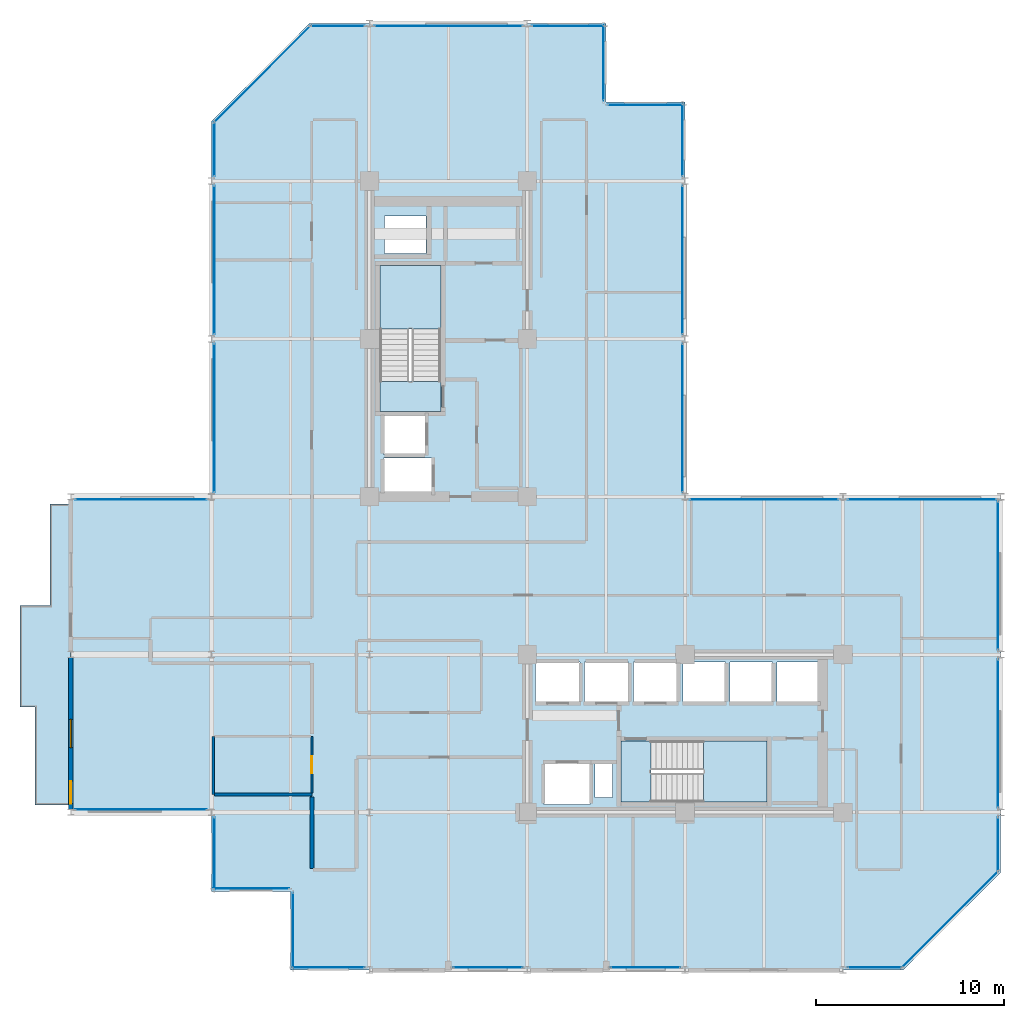
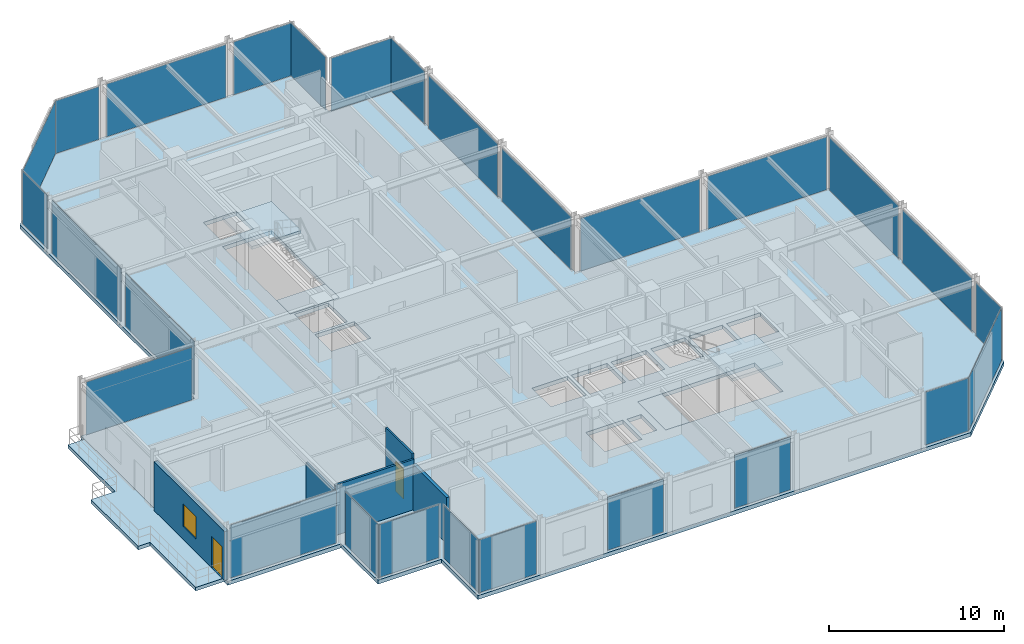
# One storey, part 23 of 29: 27 plates, 6 slabs, 5 walls, 2 doors, 1 window, 3 openings, 29 elements without a shape of their own.
"""IFC4 building model written with IfcOpenShell, lengths in metres."""

from ifc_helpers import new_model, si_unit, direction, frame, frame_2d, origin, origin_2d, place, context, subcontext, project, spatial, polyline, rectangle, outline, extrude, material, layer, layer_set, type_object, element, fill, aggregate, save


model = new_model("IFC4")

# Units and contexts
model_context = context("Model", 3, precision=1e-05, world=origin(), true_north=direction((0.0, 1.0)))
body_context = subcontext(model_context, "Body", "Model", "MODEL_VIEW")
ifc_project = project(units=[si_unit("LENGTHUNIT", "METRE"), si_unit("AREAUNIT", "SQUARE_METRE"), si_unit("VOLUMEUNIT", "CUBIC_METRE"), si_unit("PLANEANGLEUNIT", "RADIAN"), si_unit("MASSUNIT", "GRAM", prefix="KILO")], contexts=[model_context])

# Site, building, storey
site_placement = place(None, origin())
site = spatial("IfcSite", under=ifc_project, at=site_placement, CompositionType="ELEMENT")
building_placement = place(site_placement, origin())
building = spatial("IfcBuilding", under=site, at=building_placement, Name="Nerrivon Quay Data Exchange", CompositionType="ELEMENT")
storey_placement = place(building_placement, frame((0.0, 0.0, 196.0)))
storey = spatial("IfcBuildingStorey", under=building, at=storey_placement, Name="L46", CompositionType="ELEMENT", Elevation=196.0)

# Curtain wall, plate
ifc_material_1 = material(Name="Anodised aluminium 6063-T6", Category="aluminium")
ifc_layer_1 = layer(ifc_material_1, 0.199951171875)
ifc_layer_set_1 = layer_set([ifc_layer_1], Name="Anodised aluminium 6063-T6")
curtain_wall_type_1 = type_object("IfcCurtainWallType", Name="CW-SYS-04", PredefinedType="NOTDEFINED", material=ifc_layer_set_1)
curtain_wall_1_placement = place(storey_placement, origin())
curtain_wall_1 = element("IfcCurtainWall", 1, at=curtain_wall_1_placement, inside=storey, type_object=curtain_wall_type_1, Name="L46 Unitised Curtain Wall 3", PredefinedType="NOTDEFINED")
ifc_material_2 = material(Name="Double-glazed low-E solar control glass", Category="glass")
ifc_layer_2 = layer(ifc_material_2, 0.028076171875)
ifc_layer_set_2 = layer_set([ifc_layer_2], Name="Double-glazed low-E solar control glass")
plate_type = type_object("IfcPlateType", Name="CWP-GLZ-28", PredefinedType="CURTAIN_PANEL", material=ifc_layer_set_2)
plate_1_placement = place(storey_placement, frame((-3.759765625, 25.06005859375, 0.06494140625), z_axis=(0.0, 0.0, 1.0), x_axis=(1.0, 0.0, 0.0)))
plate_1 = element("IfcPlate", 2, at=plate_1_placement, type_object=plate_type, Name="CW04 panel 1.1", PredefinedType="CURTAIN_PANEL", context=body_context, shape_type="SweptSolid", body=[
    extrude(rectangle(XDim=7.01953125, YDim=0.028076171875, at=origin_2d()), origin(), (0.0, 0.0, 1.0), 3.695068359375),
])
aggregate(curtain_wall_1, [plate_1])

ifc_layer_3 = layer(ifc_material_1, 0.195068359375)
ifc_layer_set_3 = layer_set([ifc_layer_3], Name="Anodised aluminium 6063-T6")
curtain_wall_type_2 = type_object("IfcCurtainWallType", Name="CW-SYS-06", PredefinedType="NOTDEFINED", material=ifc_layer_set_3)
curtain_wall_2_placement = place(storey_placement, origin())
curtain_wall_2 = element("IfcCurtainWall", 3, at=curtain_wall_2_placement, inside=storey, type_object=curtain_wall_type_2, Name="L46 Unitised Curtain Wall 4", PredefinedType="NOTDEFINED")
plate_2_placement = place(storey_placement, frame((0.139892578125, 29.39990234375, 0.06494140625), z_axis=(0.0, 0.0, 1.0), x_axis=(0.0, 1.0, 0.0)))
plate_2 = element("IfcPlate", 4, at=plate_2_placement, type_object=plate_type, Name="CW06 panel 1.1", PredefinedType="CURTAIN_PANEL", context=body_context, shape_type="SweptSolid", body=[
    extrude(rectangle(XDim=7.89990234375, YDim=0.028076171875, at=origin_2d()), origin(), (0.0, 0.0, 1.0), 3.695068359375),
])
aggregate(curtain_wall_2, [plate_2])

curtain_wall_3_placement = place(storey_placement, origin())
curtain_wall_3 = element("IfcCurtainWall", 5, at=curtain_wall_3_placement, inside=storey, type_object=curtain_wall_type_2, Name="L46 Unitised Curtain Wall 5", PredefinedType="NOTDEFINED")
plate_3_placement = place(storey_placement, frame((0.139892578125, 37.800048828125, 0.06494140625), z_axis=(0.0, 0.0, 1.0), x_axis=(0.0, 1.0, 0.0)))
plate_3 = element("IfcPlate", 6, at=plate_3_placement, type_object=plate_type, Name="CW06 panel 1.1", PredefinedType="CURTAIN_PANEL", context=body_context, shape_type="SweptSolid", body=[
    extrude(rectangle(XDim=7.89990234375, YDim=0.028076171875, at=origin_2d()), origin(), (0.0, 0.0, 1.0), 3.695068359375),
])
aggregate(curtain_wall_3, [plate_3])

curtain_wall_4_placement = place(storey_placement, origin())
curtain_wall_4 = element("IfcCurtainWall", 7, at=curtain_wall_4_placement, inside=storey, type_object=curtain_wall_type_2, Name="L46 Unitised Curtain Wall 6", PredefinedType="NOTDEFINED")
plate_4_placement = place(storey_placement, frame((0.139892578125, 43.6875, 0.06494140625), z_axis=(0.0, 0.0, 1.0), x_axis=(0.0, 1.0, 0.0)))
plate_4 = element("IfcPlate", 8, at=plate_4_placement, type_object=plate_type, Name="CW06 panel 1.1", PredefinedType="CURTAIN_PANEL", context=body_context, shape_type="SweptSolid", body=[
    extrude(rectangle(XDim=2.875, YDim=0.028076171875, at=origin_2d()), origin(), (0.0, 0.0, 1.0), 3.695068359375),
])
aggregate(curtain_wall_4, [plate_4])

curtain_wall_5_placement = place(storey_placement, origin())
curtain_wall_5 = element("IfcCurtainWall", 9, at=curtain_wall_5_placement, inside=storey, type_object=curtain_wall_type_2, Name="L46 Unitised Curtain Wall 7", PredefinedType="NOTDEFINED")
plate_5_placement = place(storey_placement, frame((2.698974609375, 47.700927734375, 0.06494140625), z_axis=(0.0, 0.0, 1.0), x_axis=(0.707106781187, 0.707106781187, 0.0)))
plate_5 = element("IfcPlate", 10, at=plate_5_placement, type_object=plate_type, Name="CW06 panel 1.1", PredefinedType="CURTAIN_PANEL", context=body_context, shape_type="SweptSolid", body=[
    extrude(rectangle(XDim=7.203857421875, YDim=0.028076171875, at=origin_2d()), origin(), (0.0, 0.0, 1.0), 3.695068359375),
])
aggregate(curtain_wall_5, [plate_5])

curtain_wall_6_placement = place(storey_placement, origin())
curtain_wall_6 = element("IfcCurtainWall", 11, at=curtain_wall_6_placement, inside=storey, type_object=curtain_wall_type_2, Name="L46 Unitised Curtain Wall 8", PredefinedType="NOTDEFINED")
plate_6_placement = place(storey_placement, frame((6.71240234375, 50.260009765625, 0.06494140625), z_axis=(0.0, 0.0, 1.0), x_axis=(1.0, 0.0, 0.0)))
plate_6 = element("IfcPlate", 12, at=plate_6_placement, type_object=plate_type, Name="CW06 panel 1.1", PredefinedType="CURTAIN_PANEL", context=body_context, shape_type="SweptSolid", body=[
    extrude(rectangle(XDim=2.875, YDim=0.028076171875, at=origin_2d()), origin(), (0.0, 0.0, 1.0), 3.695068359375),
])
aggregate(curtain_wall_6, [plate_6])

curtain_wall_7_placement = place(storey_placement, origin())
curtain_wall_7 = element("IfcCurtainWall", 13, at=curtain_wall_7_placement, inside=storey, type_object=curtain_wall_type_2, Name="L46 Unitised Curtain Wall 9", PredefinedType="NOTDEFINED")
plate_7_placement = place(storey_placement, frame((12.60009765625, 50.260009765625, 0.06494140625), z_axis=(0.0, 0.0, 1.0), x_axis=(1.0, 0.0, 0.0)))
plate_7 = element("IfcPlate", 14, at=plate_7_placement, type_object=plate_type, Name="CW06 panel 1.1", PredefinedType="CURTAIN_PANEL", context=body_context, shape_type="SweptSolid", body=[
    extrude(rectangle(XDim=7.89990234375, YDim=0.028076171875, at=origin_2d()), origin(), (0.0, 0.0, 1.0), 3.695068359375),
])
aggregate(curtain_wall_7, [plate_7])

curtain_wall_8_placement = place(storey_placement, origin())
curtain_wall_8 = element("IfcCurtainWall", 15, at=curtain_wall_8_placement, inside=storey, type_object=curtain_wall_type_2, Name="L46 Unitised Curtain Wall 10", PredefinedType="NOTDEFINED")
plate_8_placement = place(storey_placement, frame((18.987548828125, 50.260009765625, 0.06494140625), z_axis=(0.0, 0.0, 1.0), x_axis=(1.0, 0.0, 0.0)))
plate_8 = element("IfcPlate", 16, at=plate_8_placement, type_object=plate_type, Name="CW06 panel 1.1", PredefinedType="CURTAIN_PANEL", context=body_context, shape_type="SweptSolid", body=[
    extrude(rectangle(XDim=3.875, YDim=0.028076171875, at=origin_2d()), origin(), (0.0, 0.0, 1.0), 3.695068359375),
])
aggregate(curtain_wall_8, [plate_8])

curtain_wall_9_placement = place(storey_placement, origin())
curtain_wall_9 = element("IfcCurtainWall", 17, at=curtain_wall_9_placement, inside=storey, type_object=curtain_wall_type_2, Name="L46 Unitised Curtain Wall 11", PredefinedType="NOTDEFINED")
plate_9_placement = place(storey_placement, frame((20.860107421875, 48.300048828125, 0.06494140625), z_axis=(0.0, 0.0, 1.0), x_axis=(0.0, -1.0, 0.0)))
plate_9 = element("IfcPlate", 18, at=plate_9_placement, type_object=plate_type, Name="CW06 panel 1.1", PredefinedType="CURTAIN_PANEL", context=body_context, shape_type="SweptSolid", body=[
    extrude(rectangle(XDim=4.050048828125, YDim=0.028076171875, at=origin_2d()), origin(), (0.0, 0.0, 1.0), 3.695068359375),
])
aggregate(curtain_wall_9, [plate_9])

curtain_wall_10_placement = place(storey_placement, origin())
curtain_wall_10 = element("IfcCurtainWall", 19, at=curtain_wall_10_placement, inside=storey, type_object=curtain_wall_type_2, Name="L46 Unitised Curtain Wall 12", PredefinedType="NOTDEFINED")
plate_10_placement = place(storey_placement, frame((23.10009765625, 46.06005859375, 0.06494140625), z_axis=(0.0, 0.0, 1.0), x_axis=(1.0, 0.0, 0.0)))
plate_10 = element("IfcPlate", 20, at=plate_10_placement, type_object=plate_type, Name="CW06 panel 1.1", PredefinedType="CURTAIN_PANEL", context=body_context, shape_type="SweptSolid", body=[
    extrude(rectangle(XDim=4.050048828125, YDim=0.028076171875, at=origin_2d()), origin(), (0.0, 0.0, 1.0), 3.695068359375),
])
aggregate(curtain_wall_10, [plate_10])

curtain_wall_11_placement = place(storey_placement, origin())
curtain_wall_11 = element("IfcCurtainWall", 21, at=curtain_wall_11_placement, inside=storey, type_object=curtain_wall_type_2, Name="L46 Unitised Curtain Wall 13", PredefinedType="NOTDEFINED")
plate_11_placement = place(storey_placement, frame((25.06005859375, 44.1875, 0.06494140625), z_axis=(0.0, 0.0, 1.0), x_axis=(0.0, -1.0, 0.0)))
plate_11 = element("IfcPlate", 22, at=plate_11_placement, type_object=plate_type, Name="CW06 panel 1.1", PredefinedType="CURTAIN_PANEL", context=body_context, shape_type="SweptSolid", body=[
    extrude(rectangle(XDim=3.875, YDim=0.028076171875, at=origin_2d()), origin(), (0.0, 0.0, 1.0), 3.695068359375),
])
aggregate(curtain_wall_11, [plate_11])

curtain_wall_12_placement = place(storey_placement, origin())
curtain_wall_12 = element("IfcCurtainWall", 23, at=curtain_wall_12_placement, inside=storey, type_object=curtain_wall_type_2, Name="L46 Unitised Curtain Wall 14", PredefinedType="NOTDEFINED")
plate_12_placement = place(storey_placement, frame((25.06005859375, 37.800048828125, 0.06494140625), z_axis=(0.0, 0.0, 1.0), x_axis=(0.0, -1.0, 0.0)))
plate_12 = element("IfcPlate", 24, at=plate_12_placement, type_object=plate_type, Name="CW06 panel 1.1", PredefinedType="CURTAIN_PANEL", context=body_context, shape_type="SweptSolid", body=[
    extrude(rectangle(XDim=7.89990234375, YDim=0.028076171875, at=origin_2d()), origin(), (0.0, 0.0, 1.0), 3.695068359375),
])
aggregate(curtain_wall_12, [plate_12])

curtain_wall_13_placement = place(storey_placement, origin())
curtain_wall_13 = element("IfcCurtainWall", 25, at=curtain_wall_13_placement, inside=storey, type_object=curtain_wall_type_2, Name="L46 Unitised Curtain Wall 15", PredefinedType="NOTDEFINED")
plate_13_placement = place(storey_placement, frame((25.06005859375, 29.39990234375, 0.06494140625), z_axis=(0.0, 0.0, 1.0), x_axis=(0.0, -1.0, 0.0)))
plate_13 = element("IfcPlate", 26, at=plate_13_placement, type_object=plate_type, Name="CW06 panel 1.1", PredefinedType="CURTAIN_PANEL", context=body_context, shape_type="SweptSolid", body=[
    extrude(rectangle(XDim=7.89990234375, YDim=0.028076171875, at=origin_2d()), origin(), (0.0, 0.0, 1.0), 3.695068359375),
])
aggregate(curtain_wall_13, [plate_13])

curtain_wall_14_placement = place(storey_placement, origin())
curtain_wall_14 = element("IfcCurtainWall", 27, at=curtain_wall_14_placement, inside=storey, type_object=curtain_wall_type_2, Name="L46 Unitised Curtain Wall 16", PredefinedType="NOTDEFINED")
plate_14_placement = place(storey_placement, frame((29.39990234375, 25.06005859375, 0.06494140625), z_axis=(0.0, 0.0, 1.0), x_axis=(1.0, 0.0, 0.0)))
plate_14 = element("IfcPlate", 28, at=plate_14_placement, type_object=plate_type, Name="CW06 panel 1.1", PredefinedType="CURTAIN_PANEL", context=body_context, shape_type="SweptSolid", body=[
    extrude(rectangle(XDim=7.89990234375, YDim=0.028076171875, at=origin_2d()), origin(), (0.0, 0.0, 1.0), 3.695068359375),
])
aggregate(curtain_wall_14, [plate_14])

curtain_wall_15_placement = place(storey_placement, origin())
curtain_wall_15 = element("IfcCurtainWall", 29, at=curtain_wall_15_placement, inside=storey, type_object=curtain_wall_type_2, Name="L46 Unitised Curtain Wall 17", PredefinedType="NOTDEFINED")
plate_15_placement = place(storey_placement, frame((37.800048828125, 25.06005859375, 0.06494140625), z_axis=(0.0, 0.0, 1.0), x_axis=(1.0, 0.0, 0.0)))
plate_15 = element("IfcPlate", 30, at=plate_15_placement, type_object=plate_type, Name="CW06 panel 1.1", PredefinedType="CURTAIN_PANEL", context=body_context, shape_type="SweptSolid", body=[
    extrude(rectangle(XDim=7.89990234375, YDim=0.028076171875, at=origin_2d()), origin(), (0.0, 0.0, 1.0), 3.695068359375),
])
aggregate(curtain_wall_15, [plate_15])

curtain_wall_16_placement = place(storey_placement, origin())
curtain_wall_16 = element("IfcCurtainWall", 31, at=curtain_wall_16_placement, inside=storey, type_object=curtain_wall_type_2, Name="L46 Unitised Curtain Wall 18", PredefinedType="NOTDEFINED")
plate_16_placement = place(storey_placement, frame((41.860107421875, 21.0, 0.06494140625), z_axis=(0.0, 0.0, 1.0), x_axis=(0.0, -1.0, 0.0)))
plate_16 = element("IfcPlate", 32, at=plate_16_placement, type_object=plate_type, Name="CW06 panel 1.1", PredefinedType="CURTAIN_PANEL", context=body_context, shape_type="SweptSolid", body=[
    extrude(rectangle(XDim=7.89990234375, YDim=0.028076171875, at=origin_2d()), origin(), (0.0, 0.0, 1.0), 3.695068359375),
])
aggregate(curtain_wall_16, [plate_16])

curtain_wall_17_placement = place(storey_placement, origin())
curtain_wall_17 = element("IfcCurtainWall", 33, at=curtain_wall_17_placement, inside=storey, type_object=curtain_wall_type_2, Name="L46 Unitised Curtain Wall 19", PredefinedType="NOTDEFINED")
plate_17_placement = place(storey_placement, frame((41.860107421875, 12.60009765625, 0.06494140625), z_axis=(0.0, 0.0, 1.0), x_axis=(0.0, -1.0, 0.0)))
plate_17 = element("IfcPlate", 34, at=plate_17_placement, type_object=plate_type, Name="CW06 panel 1.1", PredefinedType="CURTAIN_PANEL", context=body_context, shape_type="SweptSolid", body=[
    extrude(rectangle(XDim=7.89990234375, YDim=0.028076171875, at=origin_2d()), origin(), (0.0, 0.0, 1.0), 3.695068359375),
])
aggregate(curtain_wall_17, [plate_17])

curtain_wall_18_placement = place(storey_placement, origin())
curtain_wall_18 = element("IfcCurtainWall", 35, at=curtain_wall_18_placement, inside=storey, type_object=curtain_wall_type_2, Name="L46 Unitised Curtain Wall 20", PredefinedType="NOTDEFINED")
plate_18_placement = place(storey_placement, frame((41.860107421875, 6.71240234375, 0.06494140625), z_axis=(0.0, 0.0, 1.0), x_axis=(0.0, -1.0, 0.0)))
plate_18 = element("IfcPlate", 36, at=plate_18_placement, type_object=plate_type, Name="CW06 panel 1.1", PredefinedType="CURTAIN_PANEL", context=body_context, shape_type="SweptSolid", body=[
    extrude(rectangle(XDim=2.875, YDim=0.028076171875, at=origin_2d()), origin(), (0.0, 0.0, 1.0), 3.695068359375),
])
aggregate(curtain_wall_18, [plate_18])

curtain_wall_19_placement = place(storey_placement, origin())
curtain_wall_19 = element("IfcCurtainWall", 37, at=curtain_wall_19_placement, inside=storey, type_object=curtain_wall_type_2, Name="L46 Unitised Curtain Wall 21", PredefinedType="NOTDEFINED")
plate_19_placement = place(storey_placement, frame((39.301025390625, 2.698974609375, 0.06494140625), z_axis=(0.0, 0.0, 1.0), x_axis=(-0.707106781187, -0.707106781187, 0.0)))
plate_19 = element("IfcPlate", 38, at=plate_19_placement, type_object=plate_type, Name="CW06 panel 1.1", PredefinedType="CURTAIN_PANEL", context=body_context, shape_type="SweptSolid", body=[
    extrude(rectangle(XDim=7.203857421875, YDim=0.028076171875, at=origin_2d()), origin(), (0.0, 0.0, 1.0), 3.695068359375),
])
aggregate(curtain_wall_19, [plate_19])

curtain_wall_20_placement = place(storey_placement, origin())
curtain_wall_20 = element("IfcCurtainWall", 39, at=curtain_wall_20_placement, inside=storey, type_object=curtain_wall_type_2, Name="L46 Unitised Curtain Wall 22", PredefinedType="NOTDEFINED")
plate_20_placement = place(storey_placement, frame((35.28759765625, 0.139892578125, 0.06494140625), z_axis=(0.0, 0.0, 1.0), x_axis=(-1.0, 0.0, 0.0)))
plate_20 = element("IfcPlate", 40, at=plate_20_placement, type_object=plate_type, Name="CW06 panel 1.1", PredefinedType="CURTAIN_PANEL", context=body_context, shape_type="SweptSolid", body=[
    extrude(rectangle(XDim=2.875, YDim=0.028076171875, at=origin_2d()), origin(), (0.0, 0.0, 1.0), 3.695068359375),
])
aggregate(curtain_wall_20, [plate_20])

curtain_wall_21_placement = place(storey_placement, origin())
curtain_wall_21 = element("IfcCurtainWall", 41, at=curtain_wall_21_placement, inside=storey, type_object=curtain_wall_type_2, Name="L46 Unitised Curtain Wall 24", PredefinedType="NOTDEFINED")
plate_21_placement = place(storey_placement, frame((23.10009765625, 0.139892578125, 0.06494140625), z_axis=(0.0, 0.0, 1.0), x_axis=(-1.0, 0.0, 0.0)))
plate_21 = element("IfcPlate", 42, at=plate_21_placement, type_object=plate_type, Name="CW06 panel 1.1", PredefinedType="CURTAIN_PANEL", context=body_context, shape_type="SweptSolid", body=[
    extrude(rectangle(XDim=3.699951171875, YDim=0.028076171875, at=origin_2d()), origin(), (0.0, 0.0, 1.0), 3.695068359375),
])
aggregate(curtain_wall_21, [plate_21])

curtain_wall_22_placement = place(storey_placement, origin())
curtain_wall_22 = element("IfcCurtainWall", 43, at=curtain_wall_22_placement, inside=storey, type_object=curtain_wall_type_2, Name="L46 Unitised Curtain Wall 26", PredefinedType="NOTDEFINED")
plate_22_placement = place(storey_placement, frame((14.699951171875, 0.139892578125, 0.06494140625), z_axis=(0.0, 0.0, 1.0), x_axis=(-1.0, 0.0, 0.0)))
plate_22 = element("IfcPlate", 44, at=plate_22_placement, type_object=plate_type, Name="CW06 panel 1.1", PredefinedType="CURTAIN_PANEL", context=body_context, shape_type="SweptSolid", body=[
    extrude(rectangle(XDim=3.699951171875, YDim=0.028076171875, at=origin_2d()), origin(), (0.0, 0.0, 1.0), 3.695068359375),
])
aggregate(curtain_wall_22, [plate_22])

curtain_wall_23_placement = place(storey_placement, origin())
curtain_wall_23 = element("IfcCurtainWall", 45, at=curtain_wall_23_placement, inside=storey, type_object=curtain_wall_type_2, Name="L46 Unitised Curtain Wall 28", PredefinedType="NOTDEFINED")
plate_23_placement = place(storey_placement, frame((6.21240234375, 0.139892578125, 0.06494140625), z_axis=(0.0, 0.0, 1.0), x_axis=(-1.0, 0.0, 0.0)))
plate_23 = element("IfcPlate", 46, at=plate_23_placement, type_object=plate_type, Name="CW06 panel 1.1", PredefinedType="CURTAIN_PANEL", context=body_context, shape_type="SweptSolid", body=[
    extrude(rectangle(XDim=3.875, YDim=0.028076171875, at=origin_2d()), origin(), (0.0, 0.0, 1.0), 3.695068359375),
])
aggregate(curtain_wall_23, [plate_23])

curtain_wall_24_placement = place(storey_placement, origin())
curtain_wall_24 = element("IfcCurtainWall", 47, at=curtain_wall_24_placement, inside=storey, type_object=curtain_wall_type_2, Name="L46 Unitised Curtain Wall 29", PredefinedType="NOTDEFINED")
plate_24_placement = place(storey_placement, frame((4.340087890625, 2.10009765625, 0.06494140625), z_axis=(0.0, 0.0, 1.0), x_axis=(0.0, 1.0, 0.0)))
plate_24 = element("IfcPlate", 48, at=plate_24_placement, type_object=plate_type, Name="CW06 panel 1.1", PredefinedType="CURTAIN_PANEL", context=body_context, shape_type="SweptSolid", body=[
    extrude(rectangle(XDim=4.050048828125, YDim=0.028076171875, at=origin_2d()), origin(), (0.0, 0.0, 1.0), 3.695068359375),
])
aggregate(curtain_wall_24, [plate_24])

curtain_wall_25_placement = place(storey_placement, origin())
curtain_wall_25 = element("IfcCurtainWall", 49, at=curtain_wall_25_placement, inside=storey, type_object=curtain_wall_type_2, Name="L46 Unitised Curtain Wall 30", PredefinedType="NOTDEFINED")
plate_25_placement = place(storey_placement, frame((2.10009765625, 4.340087890625, 0.06494140625), z_axis=(0.0, 0.0, 1.0), x_axis=(-1.0, 0.0, 0.0)))
plate_25 = element("IfcPlate", 50, at=plate_25_placement, type_object=plate_type, Name="CW06 panel 1.1", PredefinedType="CURTAIN_PANEL", context=body_context, shape_type="SweptSolid", body=[
    extrude(rectangle(XDim=4.050048828125, YDim=0.028076171875, at=origin_2d()), origin(), (0.0, 0.0, 1.0), 3.695068359375),
])
aggregate(curtain_wall_25, [plate_25])

curtain_wall_26_placement = place(storey_placement, origin())
curtain_wall_26 = element("IfcCurtainWall", 51, at=curtain_wall_26_placement, inside=storey, type_object=curtain_wall_type_2, Name="L46 Unitised Curtain Wall 31", PredefinedType="NOTDEFINED")
plate_26_placement = place(storey_placement, frame((0.139892578125, 6.21240234375, 0.06494140625), z_axis=(0.0, 0.0, 1.0), x_axis=(0.0, 1.0, 0.0)))
plate_26 = element("IfcPlate", 52, at=plate_26_placement, type_object=plate_type, Name="CW06 panel 1.1", PredefinedType="CURTAIN_PANEL", context=body_context, shape_type="SweptSolid", body=[
    extrude(rectangle(XDim=3.875, YDim=0.028076171875, at=origin_2d()), origin(), (0.0, 0.0, 1.0), 3.695068359375),
])
aggregate(curtain_wall_26, [plate_26])

curtain_wall_27_placement = place(storey_placement, origin())
curtain_wall_27 = element("IfcCurtainWall", 53, at=curtain_wall_27_placement, inside=storey, type_object=curtain_wall_type_1, Name="L46 Unitised Curtain Wall 32", PredefinedType="NOTDEFINED")
plate_27_placement = place(storey_placement, frame((-3.759765625, 8.5400390625, 0.06494140625), z_axis=(0.0, 0.0, 1.0), x_axis=(-1.0, 0.0, 0.0)))
plate_27 = element("IfcPlate", 54, at=plate_27_placement, type_object=plate_type, Name="CW04 panel 1.1", PredefinedType="CURTAIN_PANEL", context=body_context, shape_type="SweptSolid", body=[
    extrude(rectangle(XDim=7.01953125, YDim=0.028076171875, at=origin_2d()), origin(), (0.0, 0.0, 1.0), 3.695068359375),
])
aggregate(curtain_wall_27, [plate_27])

# Slab
ifc_material_3 = material(Name="Precast white architectural concrete N50 (50 MPa)", Category="concrete")
ifc_layer_4 = layer(ifc_material_3, 0.25)
ifc_layer_set_4 = layer_set([ifc_layer_4], Name="Precast white architectural concrete N50 (50 MPa)")
slab_type_1 = type_object("IfcSlabType", Name="SLB-BAL-250", PredefinedType="FLOOR", material=ifc_layer_set_4)
slab_1_placement = place(storey_placement, frame((0.0, 0.0, -0.25)))
element("IfcSlab", 55, at=slab_1_placement, inside=storey, type_object=slab_type_1, Name="L46 West Hooked Drifting Verandah", PredefinedType="FLOOR", context=body_context, shape_type="SweptSolid", body=[
    extrude(outline(polyline([(-7.5, 14.0), (-7.5, 19.39990234375), (-7.5, 24.800048828125), (-8.60009765625, 24.800048828125), (-8.60009765625, 19.39990234375), (-10.199951171875, 19.39990234375), (-10.199951171875, 14.0), (-9.39990234375, 14.0), (-9.39990234375, 8.800048828125), (-7.5, 8.800048828125), (-7.5, 14.0)])), origin(), (0.0, 0.0, 1.0), 0.25),
])

# Stair, slab
ifc_material_4 = material(Name="Concrete N50 (50 MPa)", Category="concrete")
stair_type = type_object("IfcStairType", Name="STAIR-DOG-41", PredefinedType="HALF_TURN_STAIR", material=ifc_material_4)
stair_1_placement = place(storey_placement, origin())
stair_1 = element("IfcStair", 56, at=stair_1_placement, inside=storey, type_object=stair_type, Name="L46 West Core Fire Stair ST01", PredefinedType="HALF_TURN_STAIR")
ifc_layer_5 = layer(ifc_material_4, 0.199951171875)
ifc_layer_set_5 = layer_set([ifc_layer_5], Name="Concrete N50 (50 MPa)")
slab_type_2 = type_object("IfcSlabType", Name="SLB-LAND-200", PredefinedType="LANDING", material=ifc_layer_set_5)
slab_2_placement = place(storey_placement, frame((0.0, 0.0, 1.85009765625)))
slab_2 = element("IfcSlab", 57, at=slab_2_placement, type_object=slab_type_2, Name="ST01 landing 1", PredefinedType="LANDING", context=body_context, shape_type="SweptSolid", body=[
    extrude(outline(polyline([(12.199951171875, 34.1298828125), (12.199951171875, 37.5), (8.949951171875, 37.5), (8.949951171875, 34.1298828125), (12.199951171875, 34.1298828125)])), origin(), (0.0, 0.0, 1.0), 0.199951171875),
])
aggregate(stair_1, [slab_2])

# Slab
slab_3_placement = place(storey_placement, frame((0.0, 0.0, -0.199951171875)))
element("IfcSlab", 58, at=slab_3_placement, inside=storey, type_object=slab_type_2, Name="L46 ST01 floor landing", PredefinedType="LANDING", context=body_context, shape_type="SweptSolid", body=[
    extrude(outline(polyline([(12.199951171875, 29.75), (12.199951171875, 31.330078125), (8.949951171875, 31.330078125), (8.949951171875, 29.75), (12.199951171875, 29.75)])), origin(), (0.0, 0.0, 1.0), 0.199951171875),
])

# Stair, slab
stair_2_placement = place(storey_placement, origin())
stair_2 = element("IfcStair", 59, at=stair_2_placement, inside=storey, type_object=stair_type, Name="L46 East Core Fire Stair ST02", PredefinedType="HALF_TURN_STAIR")
slab_4_placement = place(storey_placement, frame((0.0, 0.0, 1.85009765625)))
slab_4 = element("IfcSlab", 60, at=slab_4_placement, type_object=slab_type_2, Name="ST02 landing 1", PredefinedType="LANDING", context=body_context, shape_type="SweptSolid", body=[
    extrude(outline(polyline([(26.179931640625, 8.949951171875), (29.550048828125, 8.949951171875), (29.550048828125, 12.199951171875), (26.179931640625, 12.199951171875), (26.179931640625, 8.949951171875)])), origin(), (0.0, 0.0, 1.0), 0.199951171875),
])
aggregate(stair_2, [slab_4])

# Slabs
slab_5_placement = place(storey_placement, frame((0.0, 0.0, -0.199951171875)))
element("IfcSlab", 61, at=slab_5_placement, inside=storey, type_object=slab_type_2, Name="L46 ST02 floor landing", PredefinedType="LANDING", context=body_context, shape_type="SweptSolid", body=[
    extrude(outline(polyline([(21.800048828125, 8.949951171875), (23.3798828125, 8.949951171875), (23.3798828125, 12.199951171875), (21.800048828125, 12.199951171875), (21.800048828125, 8.949951171875)])), origin(), (0.0, 0.0, 1.0), 0.199951171875),
])
ifc_layer_6 = layer(ifc_material_4, 0.27490234375)
ifc_layer_set_6 = layer_set([ifc_layer_6], Name="Concrete N50 (50 MPa)")
slab_type_3 = type_object("IfcSlabType", Name="SLB-TOW-275", PredefinedType="FLOOR", material=ifc_layer_set_6)
slab_6_placement = place(storey_placement, frame((0.0, 0.0, -0.27490234375)))
element("IfcSlab", 62, at=slab_6_placement, inside=storey, type_object=slab_type_3, Name="L46 Primary Structural Slab", PredefinedType="FLOOR", context=body_context, shape_type="SweptSolid", body=[
    extrude(outline(polyline([(0.0, 8.39990234375), (0.0, 4.199951171875), (4.199951171875, 4.199951171875), (4.199951171875, 0.0), (36.800048828125, 0.0), (42.0, 5.199951171875), (42.0, 25.199951171875), (25.199951171875, 25.199951171875), (25.199951171875, 46.199951171875), (21.0, 46.199951171875), (21.0, 50.39990234375), (5.199951171875, 50.39990234375), (0.0, 45.199951171875), (0.0, 25.199951171875), (-7.5, 25.199951171875), (-7.5, 8.39990234375), (0.0, 8.39990234375)]), holes=[polyline([(8.949951171875, 29.75), (8.949951171875, 37.5), (12.199951171875, 37.5), (12.199951171875, 29.75), (8.949951171875, 29.75)]), polyline([(21.800048828125, 12.199951171875), (29.550048828125, 12.199951171875), (29.550048828125, 8.949951171875), (21.800048828125, 8.949951171875), (21.800048828125, 12.199951171875)]), polyline([(30.10009765625, 16.39990234375), (32.35009765625, 16.39990234375), (32.35009765625, 14.25), (30.10009765625, 14.25), (30.10009765625, 16.39990234375)]), polyline([(27.60009765625, 16.39990234375), (29.85009765625, 16.39990234375), (29.85009765625, 14.25), (27.60009765625, 14.25), (27.60009765625, 16.39990234375)]), polyline([(25.10009765625, 14.25), (25.10009765625, 16.39990234375), (27.35009765625, 16.39990234375), (27.35009765625, 14.25), (25.10009765625, 14.25)]), polyline([(22.449951171875, 16.39990234375), (24.800048828125, 16.39990234375), (24.800048828125, 14.25), (22.449951171875, 14.25), (22.449951171875, 16.39990234375)]), polyline([(19.85009765625, 16.39990234375), (22.199951171875, 16.39990234375), (22.199951171875, 14.25), (19.85009765625, 14.25), (19.85009765625, 16.39990234375)]), polyline([(20.39990234375, 9.199951171875), (20.39990234375, 11.0), (21.35009765625, 11.0), (21.35009765625, 9.199951171875), (20.39990234375, 9.199951171875)]), polyline([(17.699951171875, 8.830078125), (17.699951171875, 11.030029296875), (20.14990234375, 11.030029296875), (20.14990234375, 8.830078125), (17.699951171875, 8.830078125)]), polyline([(17.25, 14.25), (17.25, 16.39990234375), (19.60009765625, 16.39990234375), (19.60009765625, 14.25), (17.25, 14.25)]), polyline([(9.14990234375, 27.25), (11.75, 27.25), (11.75, 25.35009765625), (9.14990234375, 25.35009765625), (9.14990234375, 27.25)]), polyline([(9.14990234375, 29.60009765625), (11.39990234375, 29.60009765625), (11.39990234375, 27.449951171875), (9.14990234375, 27.449951171875), (9.14990234375, 29.60009765625)]), polyline([(9.199951171875, 38.14990234375), (9.199951171875, 40.14990234375), (11.39990234375, 40.14990234375), (11.39990234375, 38.14990234375), (9.199951171875, 38.14990234375)])]), origin(), (0.0, 0.0, 1.0), 0.27490234375),
])

# Wall, openings, door, window
ifc_material_5 = material(Name="Architectural terracotta precast concrete N50 (50 MPa)", Category="masonry")
ifc_layer_7 = layer(ifc_material_5, 0.239990234375)
ifc_layer_set_7 = layer_set([ifc_layer_7], Name="Architectural terracotta precast concrete N50 (50 MPa)")
wall_type_1 = type_object("IfcWallType", Name="EW-PREC-240", PredefinedType="STANDARD", material=ifc_layer_set_7)
wall_1_placement = place(storey_placement, frame((-7.5, 8.5634765625, 0.0), z_axis=(0.0, 0.0, 1.0), x_axis=(0.0, 1.0, 0.0)))
wall_1 = element("IfcWall", 63, at=wall_1_placement, inside=storey, type_object=wall_type_1, Name="L46 Terrace Host Wall 1", PredefinedType="STANDARD", context=body_context, shape_type="SweptSolid", body=[
    extrude(rectangle(XDim=8.072998046875, YDim=0.239990234375, at=frame_2d((4.03662109375, 0.0))), origin(), (0.0, 0.0, 1.0), 3.422119140625),
])
opening_1_placement = place(wall_1_placement, frame((0.300048828125, 0.0, 0.0)))
opening_1 = element("IfcOpeningElement", 64, at=opening_1_placement, cuts=wall_1, Name="Opening TD1", PredefinedType="OPENING", context=body_context, shape_type="SweptSolid", body=[
    extrude(rectangle(XDim=1.199951171875, YDim=2.199951171875, at=frame_2d((0.60009765625, 1.10009765625))), frame((0.0, 0.1298828125, 0.0), z_axis=(0.0, -1.0, 0.0), x_axis=(1.0, 0.0, 0.0)), (0.0, 0.0, 1.0), 0.260009765625),
])
opening_2_placement = place(wall_1_placement, frame((3.28662109375, 0.0, 0.89990234375)))
opening_2 = element("IfcOpeningElement", 65, at=opening_2_placement, cuts=wall_1, Name="Opening WN4", PredefinedType="OPENING", context=body_context, shape_type="SweptSolid", body=[
    extrude(rectangle(XDim=1.5, YDim=1.60009765625, at=frame_2d((0.75, 0.800048828125))), frame((0.0, 0.1298828125, 0.0), z_axis=(0.0, -1.0, 0.0), x_axis=(1.0, 0.0, 0.0)), (0.0, 0.0, 1.0), 0.260009765625),
])
door_type_1 = type_object("IfcDoorType", Name="DR-TERR-1200x2200", OperationType="NOTDEFINED", PredefinedType="DOOR", material=ifc_material_2)
door_1_placement = place(opening_1_placement, origin())
door_1 = element("IfcDoor", 66, at=door_1_placement, inside=storey, type_object=door_type_1, Name="L46 Outdoor Terrace Access Door 1", OperationType="SINGLE_SWING_RIGHT", OverallHeight=2.199951171875, OverallWidth=1.199951171875, PredefinedType="DOOR", context=body_context, shape_type="SweptSolid", body=[
    extrude(rectangle(XDim=1.199951171875, YDim=2.199951171875, at=frame_2d((0.60009765625, 1.10009765625))), frame((0.0, 0.02490234375, 0.0), z_axis=(0.0, -1.0, 0.0), x_axis=(1.0, 0.0, 0.0)), (0.0, 0.0, 1.0), 0.050048828125),
])
fill(opening_1, door_1)
window_type = type_object("IfcWindowType", Name="WIN-W4-1500x1600", PartitioningType="SINGLE_PANEL", PredefinedType="WINDOW", material=ifc_material_2)
window_placement = place(opening_2_placement, origin())
window = element("IfcWindow", 67, at=window_placement, inside=storey, type_object=window_type, Name="L46 Terrace Side Window 1", OverallHeight=1.60009765625, OverallWidth=1.5, PartitioningType="SINGLE_PANEL", PredefinedType="WINDOW", context=body_context, shape_type="SweptSolid", body=[
    extrude(rectangle(XDim=1.5, YDim=1.60009765625, at=frame_2d((0.75, 0.800048828125))), frame((0.0, 0.030029296875, 0.0), z_axis=(0.0, -1.0, 0.0), x_axis=(1.0, 0.0, 0.0)), (0.0, 0.0, 1.0), 0.06005859375),
])
fill(opening_2, window)

# Walls
ifc_material_6 = material(Name="Gypsum plasterboard on cold-formed framing", Category="gypsum")
ifc_layer_8 = layer(ifc_material_6, 0.199951171875)
ifc_layer_set_8 = layer_set([ifc_layer_8], Name="Gypsum plasterboard on cold-formed framing")
wall_type_2 = type_object("IfcWallType", Name="WALL-FW-200", PredefinedType="PARTITIONING", material=ifc_layer_set_8)
wall_2_placement = place(storey_placement, frame((5.340087890625, 5.39990234375, 0.0), z_axis=(0.0, 0.0, 1.0), x_axis=(0.0, 1.0, 0.0)))
element("IfcWall", 68, at=wall_2_placement, inside=storey, type_object=wall_type_2, Name="L46 Partition Colocation Data Workspace 1", PredefinedType="PARTITIONING", context=body_context, shape_type="SweptSolid", body=[
    extrude(rectangle(XDim=3.830078125, YDim=0.199951171875, at=frame_2d((1.9150390625, 0.0))), origin(), (0.0, 0.0, 1.0), 3.212890625),
])
ifc_layer_9 = layer(ifc_material_6, 0.1201171875)
ifc_layer_set_9 = layer_set([ifc_layer_9], Name="Gypsum plasterboard on cold-formed framing")
wall_type_3 = type_object("IfcWallType", Name="WALL-PT-120", PredefinedType="PARTITIONING", material=ifc_layer_set_9)
wall_3_placement = place(storey_placement, frame((0.080078125, 12.449951171875, 0.0), z_axis=(0.0, 0.0, 1.0), x_axis=(0.0, -1.0, 0.0)))
element("IfcWall", 69, at=wall_3_placement, inside=storey, type_object=wall_type_3, Name="L46 Partition Public Washrooms", PredefinedType="PARTITIONING", context=body_context, shape_type="SweptSolid", body=[
    extrude(rectangle(XDim=3.099853515625, YDim=0.1201171875, at=frame_2d((1.5498046875, 0.0))), origin(), (0.0, 0.0, 1.0), 3.222900390625),
])

# Wall, opening, door
wall_4_placement = place(storey_placement, frame((5.340087890625, 9.42138671875, 0.0), z_axis=(0.0, 0.0, 1.0), x_axis=(0.0, 1.0, 0.0)))
wall_4 = element("IfcWall", 70, at=wall_4_placement, inside=storey, type_object=wall_type_3, Name="L46 Partition Public Washrooms", PredefinedType="PARTITIONING", context=body_context, shape_type="SweptSolid", body=[
    extrude(rectangle(XDim=3.028564453125, YDim=0.1201171875, at=frame_2d((1.51416015625, 0.0))), origin(), (0.0, 0.0, 1.0), 3.824951171875),
])
opening_3_placement = place(wall_4_placement, frame((1.05419921875, 0.0, 0.0)))
opening_3 = element("IfcOpeningElement", 71, at=opening_3_placement, cuts=wall_4, Name="Opening D-WC", PredefinedType="OPENING", context=body_context, shape_type="SweptSolid", body=[
    extrude(rectangle(XDim=0.919921875, YDim=2.10009765625, at=frame_2d((0.4599609375, 1.050048828125))), frame((0.0, 0.070068359375, 0.0), z_axis=(0.0, -1.0, 0.0), x_axis=(1.0, 0.0, 0.0)), (0.0, 0.0, 1.0), 0.14013671875),
])
ifc_material_7 = material(Name="Engineered hardwood timber", Category="wood")
door_type_2 = type_object("IfcDoorType", Name="DR-WC-920", OperationType="NOTDEFINED", PredefinedType="DOOR", material=ifc_material_7)
door_2_placement = place(opening_3_placement, origin())
door_2 = element("IfcDoor", 72, at=door_2_placement, inside=storey, type_object=door_type_2, Name="L46 Door Public Washrooms", OperationType="SINGLE_SWING_LEFT", OverallHeight=2.10009765625, OverallWidth=0.919921875, PredefinedType="DOOR", context=body_context, shape_type="SweptSolid", body=[
    extrude(rectangle(XDim=0.919921875, YDim=2.10009765625, at=frame_2d((0.4599609375, 1.050048828125))), frame((0.0, 0.02490234375, 0.0), z_axis=(0.0, -1.0, 0.0), x_axis=(1.0, 0.0, 0.0)), (0.0, 0.0, 1.0), 0.050048828125),
])
fill(opening_3, door_2)

# Wall
ifc_layer_10 = layer(ifc_material_6, 0.135009765625)
ifc_layer_set_10 = layer_set([ifc_layer_10], Name="Gypsum plasterboard on cold-formed framing")
wall_type_4 = type_object("IfcWallType", Name="WALL-PT-135", PredefinedType="PARTITIONING", material=ifc_layer_set_10)
wall_5_placement = place(storey_placement, frame((0.14404296875, 9.35009765625, 0.0), z_axis=(0.0, 0.0, 1.0), x_axis=(1.0, 0.0, 0.0)))
element("IfcWall", 73, at=wall_5_placement, inside=storey, type_object=wall_type_4, Name="L46 Partition Public Washrooms", PredefinedType="PARTITIONING", context=body_context, shape_type="SweptSolid", body=[
    extrude(rectangle(XDim=5.196044921875, YDim=0.135009765625, at=frame_2d((2.59814453125, 0.0))), origin(), (0.0, 0.0, 1.0), 3.51806640625),
])

save(model, "model.ifc")
